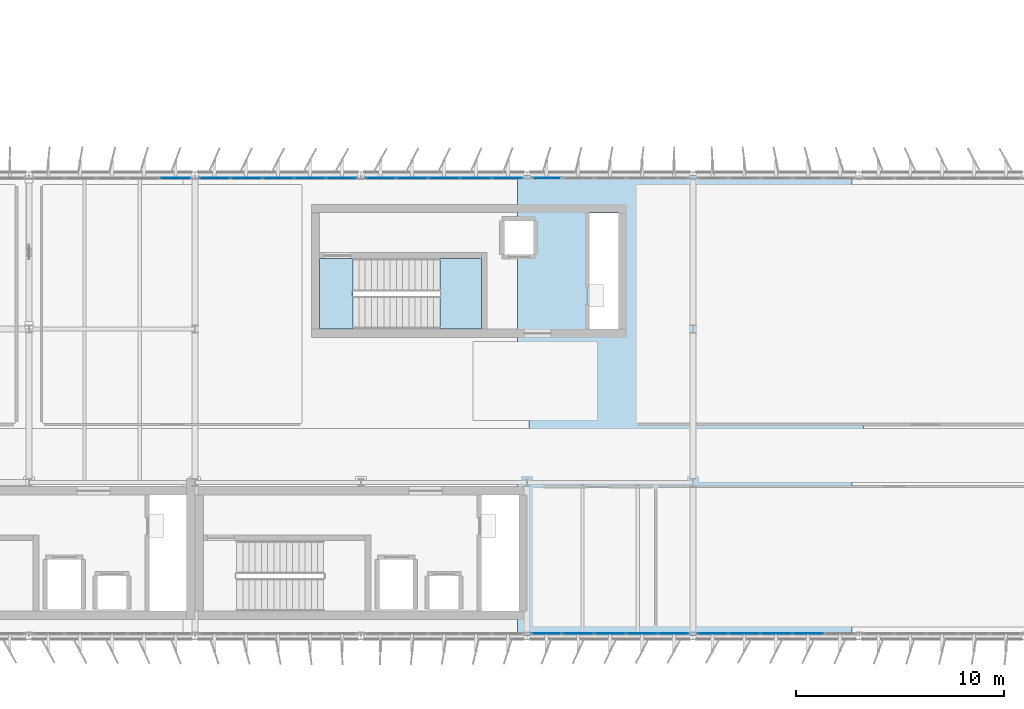
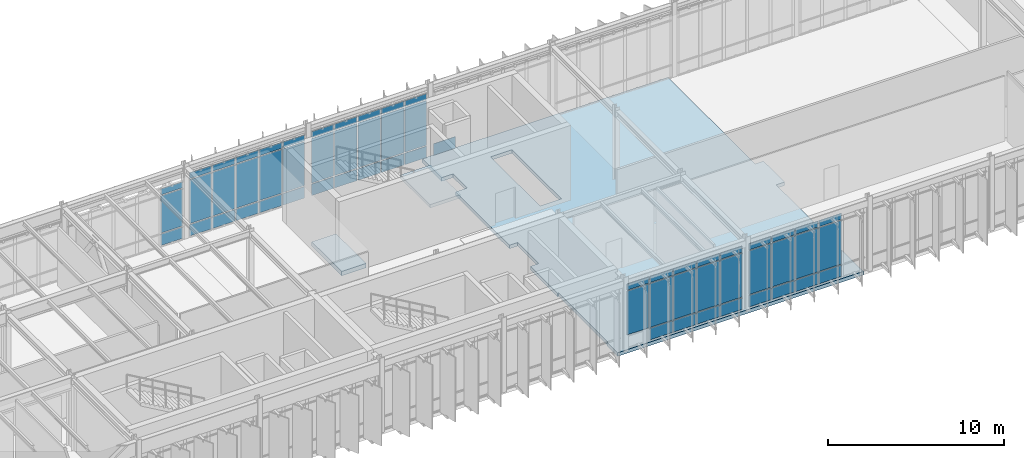
# One storey, part 28 of 48: 60 plates, 3 slabs, 7 elements without a shape of their own.
"""IFC4 building model written with IfcOpenShell, lengths in metres."""

from ifc_helpers import new_model, si_unit, direction, frame, origin, origin_2d, place, context, subcontext, project, spatial, polyline, rectangle, outline, extrude, material, layer, layer_set, type_object, element, aggregate, save


model = new_model("IFC4")

# Units and contexts
model_context = context("Model", 3, precision=1e-05, world=origin(), true_north=direction((0.0, 1.0)))
body_context = subcontext(model_context, "Body", "Model", "MODEL_VIEW")
ifc_project = project(units=[si_unit("LENGTHUNIT", "METRE"), si_unit("AREAUNIT", "SQUARE_METRE"), si_unit("VOLUMEUNIT", "CUBIC_METRE"), si_unit("PLANEANGLEUNIT", "RADIAN"), si_unit("MASSUNIT", "GRAM", prefix="KILO")], contexts=[model_context])

# Site, building, storey
site_placement = place(None, origin())
site = spatial("IfcSite", under=ifc_project, at=site_placement, CompositionType="ELEMENT")
building_placement = place(site_placement, origin())
building = spatial("IfcBuilding", under=site, at=building_placement, Name="Valkorina Park Police Headquarters", CompositionType="ELEMENT")
storey_placement = place(building_placement, frame((0.0, 0.0, 18.10009765625)))
storey = spatial("IfcBuildingStorey", under=building, at=storey_placement, Name="L05", CompositionType="ELEMENT", Elevation=18.10009765625)

# Curtain wall, plates
ifc_material_1 = material(Name="Thermally broken aluminium AW-6060", Category="aluminium")
ifc_layer_1 = layer(ifc_material_1, 0.18994140625)
ifc_layer_set_1 = layer_set([ifc_layer_1], Name="Thermally broken aluminium AW-6060")
curtain_wall_type_1 = type_object("IfcCurtainWallType", Name="CW-V5-7680x4520", PredefinedType="NOTDEFINED", material=ifc_layer_set_1)
curtain_wall_1_placement = place(storey_placement, origin())
curtain_wall_1 = element("IfcCurtainWall", 1, at=curtain_wall_1_placement, inside=storey, type_object=curtain_wall_type_1, Name="L05 Unitised Curtain Wall 067", PredefinedType="NOTDEFINED")
ifc_layer_2 = layer(ifc_material_1, 0.050048828125)
ifc_layer_set_2 = layer_set([ifc_layer_2], Name="Thermally broken aluminium AW-6060")
plate_type_1 = type_object("IfcPlateType", Name="PL-CWP-SPANDREL-50", PredefinedType="CURTAIN_PANEL", material=ifc_layer_set_2)
plate_1_placement = place(storey_placement, frame((62.3359375, 37.1201171875, 0.06982421875), z_axis=(0.0, 0.0, 1.0), x_axis=(-1.0, 0.0, 0.0)))
plate_1 = element("IfcPlate", 2, at=plate_1_placement, type_object=plate_type_1, Name="CW-V5-768-452 panel 2.1", PredefinedType="CURTAIN_PANEL", context=body_context, shape_type="SweptSolid", body=[
    extrude(rectangle(XDim=1.466064453125, YDim=0.028076171875, at=origin_2d()), origin(), (0.0, 0.0, 1.0), 0.794921875),
])
plate_2_placement = place(storey_placement, frame((60.800048828125, 37.1201171875, 0.06982421875), z_axis=(0.0, 0.0, 1.0), x_axis=(-1.0, 0.0, 0.0)))
plate_2 = element("IfcPlate", 3, at=plate_2_placement, type_object=plate_type_1, Name="CW-V5-768-452 panel 3.1", PredefinedType="CURTAIN_PANEL", context=body_context, shape_type="SweptSolid", body=[
    extrude(rectangle(XDim=1.466064453125, YDim=0.028076171875, at=origin_2d()), origin(), (0.0, 0.0, 1.0), 0.794921875),
])
plate_3_placement = place(storey_placement, frame((59.263916015625, 37.1201171875, 0.06982421875), z_axis=(0.0, 0.0, 1.0), x_axis=(-1.0, 0.0, 0.0)))
plate_3 = element("IfcPlate", 4, at=plate_3_placement, type_object=plate_type_1, Name="CW-V5-768-452 panel 4.1", PredefinedType="CURTAIN_PANEL", context=body_context, shape_type="SweptSolid", body=[
    extrude(rectangle(XDim=1.466064453125, YDim=0.028076171875, at=origin_2d()), origin(), (0.0, 0.0, 1.0), 0.794921875),
])
plate_4_placement = place(storey_placement, frame((57.74560546875, 37.1201171875, 0.06982421875), z_axis=(0.0, 0.0, 1.0), x_axis=(-1.0, 0.0, 0.0)))
plate_4 = element("IfcPlate", 5, at=plate_4_placement, type_object=plate_type_1, Name="CW-V5-768-452 panel 5.1", PredefinedType="CURTAIN_PANEL", context=body_context, shape_type="SweptSolid", body=[
    extrude(rectangle(XDim=1.430908203125, YDim=0.028076171875, at=origin_2d()), origin(), (0.0, 0.0, 1.0), 0.794921875),
])

curtain_wall_2_placement = place(storey_placement, origin())
curtain_wall_2 = element("IfcCurtainWall", 6, at=curtain_wall_2_placement, inside=storey, type_object=curtain_wall_type_1, Name="L05 Unitised Curtain Wall 068", PredefinedType="NOTDEFINED")
plate_5_placement = place(storey_placement, frame((55.8544921875, 37.1201171875, 0.06982421875), z_axis=(0.0, 0.0, 1.0), x_axis=(-1.0, 0.0, 0.0)))
plate_5 = element("IfcPlate", 7, at=plate_5_placement, type_object=plate_type_1, Name="CW-V5-768-452 panel 1.1", PredefinedType="CURTAIN_PANEL", context=body_context, shape_type="SweptSolid", body=[
    extrude(rectangle(XDim=1.430908203125, YDim=0.028076171875, at=origin_2d()), origin(), (0.0, 0.0, 1.0), 0.794921875),
])
plate_6_placement = place(storey_placement, frame((54.3359375, 37.1201171875, 0.06982421875), z_axis=(0.0, 0.0, 1.0), x_axis=(-1.0, 0.0, 0.0)))
plate_6 = element("IfcPlate", 8, at=plate_6_placement, type_object=plate_type_1, Name="CW-V5-768-452 panel 2.1", PredefinedType="CURTAIN_PANEL", context=body_context, shape_type="SweptSolid", body=[
    extrude(rectangle(XDim=1.466064453125, YDim=0.028076171875, at=origin_2d()), origin(), (0.0, 0.0, 1.0), 0.794921875),
])
plate_7_placement = place(storey_placement, frame((52.800048828125, 37.1201171875, 0.06982421875), z_axis=(0.0, 0.0, 1.0), x_axis=(-1.0, 0.0, 0.0)))
plate_7 = element("IfcPlate", 9, at=plate_7_placement, type_object=plate_type_1, Name="CW-V5-768-452 panel 3.1", PredefinedType="CURTAIN_PANEL", context=body_context, shape_type="SweptSolid", body=[
    extrude(rectangle(XDim=1.466064453125, YDim=0.028076171875, at=origin_2d()), origin(), (0.0, 0.0, 1.0), 0.794921875),
])
plate_8_placement = place(storey_placement, frame((51.263916015625, 37.1201171875, 0.06982421875), z_axis=(0.0, 0.0, 1.0), x_axis=(-1.0, 0.0, 0.0)))
plate_8 = element("IfcPlate", 10, at=plate_8_placement, type_object=plate_type_1, Name="CW-V5-768-452 panel 4.1", PredefinedType="CURTAIN_PANEL", context=body_context, shape_type="SweptSolid", body=[
    extrude(rectangle(XDim=1.466064453125, YDim=0.028076171875, at=origin_2d()), origin(), (0.0, 0.0, 1.0), 0.794921875),
])

# Curtain wall, plate
ifc_layer_3 = layer(ifc_material_1, 0.18994140625)
ifc_layer_set_3 = layer_set([ifc_layer_3], Name="Thermally broken aluminium AW-6060")
curtain_wall_type_2 = type_object("IfcCurtainWallType", Name="CW-V5-7680x4070", PredefinedType="NOTDEFINED", material=ifc_layer_set_3)
curtain_wall_3_placement = place(storey_placement, origin())
curtain_wall_3 = element("IfcCurtainWall", 11, at=curtain_wall_3_placement, inside=storey, type_object=curtain_wall_type_2, Name="L05 Unitised Curtain Wall 081", PredefinedType="NOTDEFINED")
plate_9_placement = place(storey_placement, frame((31.8544921875, 59.080078125, 0.06982421875), z_axis=(0.0, 0.0, 1.0), x_axis=(1.0, 0.0, 0.0)))
plate_9 = element("IfcPlate", 12, at=plate_9_placement, type_object=plate_type_1, Name="CW-V5-768-407 panel 5.1", PredefinedType="CURTAIN_PANEL", context=body_context, shape_type="SweptSolid", body=[
    extrude(rectangle(XDim=1.430908203125, YDim=0.028076171875, at=origin_2d()), origin(), (0.0, 0.0, 1.0), 0.794921875),
])

# Curtain wall, plates
curtain_wall_4_placement = place(storey_placement, origin())
curtain_wall_4 = element("IfcCurtainWall", 13, at=curtain_wall_4_placement, inside=storey, type_object=curtain_wall_type_1, Name="L05 Unitised Curtain Wall 082", PredefinedType="NOTDEFINED")
plate_10_placement = place(storey_placement, frame((33.74560546875, 59.080078125, 0.06982421875), z_axis=(0.0, 0.0, 1.0), x_axis=(1.0, 0.0, 0.0)))
plate_10 = element("IfcPlate", 14, at=plate_10_placement, type_object=plate_type_1, Name="CW-V5-768-452 panel 1.1", PredefinedType="CURTAIN_PANEL", context=body_context, shape_type="SweptSolid", body=[
    extrude(rectangle(XDim=1.430908203125, YDim=0.028076171875, at=origin_2d()), origin(), (0.0, 0.0, 1.0), 0.794921875),
])
plate_11_placement = place(storey_placement, frame((35.263916015625, 59.080078125, 0.06982421875), z_axis=(0.0, 0.0, 1.0), x_axis=(1.0, 0.0, 0.0)))
plate_11 = element("IfcPlate", 15, at=plate_11_placement, type_object=plate_type_1, Name="CW-V5-768-452 panel 2.1", PredefinedType="CURTAIN_PANEL", context=body_context, shape_type="SweptSolid", body=[
    extrude(rectangle(XDim=1.466064453125, YDim=0.028076171875, at=origin_2d()), origin(), (0.0, 0.0, 1.0), 0.794921875),
])
plate_12_placement = place(storey_placement, frame((36.800048828125, 59.080078125, 0.06982421875), z_axis=(0.0, 0.0, 1.0), x_axis=(1.0, 0.0, 0.0)))
plate_12 = element("IfcPlate", 16, at=plate_12_placement, type_object=plate_type_1, Name="CW-V5-768-452 panel 3.1", PredefinedType="CURTAIN_PANEL", context=body_context, shape_type="SweptSolid", body=[
    extrude(rectangle(XDim=1.466064453125, YDim=0.028076171875, at=origin_2d()), origin(), (0.0, 0.0, 1.0), 0.794921875),
])
plate_13_placement = place(storey_placement, frame((38.3359375, 59.080078125, 0.06982421875), z_axis=(0.0, 0.0, 1.0), x_axis=(1.0, 0.0, 0.0)))
plate_13 = element("IfcPlate", 17, at=plate_13_placement, type_object=plate_type_1, Name="CW-V5-768-452 panel 4.1", PredefinedType="CURTAIN_PANEL", context=body_context, shape_type="SweptSolid", body=[
    extrude(rectangle(XDim=1.466064453125, YDim=0.028076171875, at=origin_2d()), origin(), (0.0, 0.0, 1.0), 0.794921875),
])
plate_14_placement = place(storey_placement, frame((39.8544921875, 59.080078125, 0.06982421875), z_axis=(0.0, 0.0, 1.0), x_axis=(1.0, 0.0, 0.0)))
plate_14 = element("IfcPlate", 18, at=plate_14_placement, type_object=plate_type_1, Name="CW-V5-768-452 panel 5.1", PredefinedType="CURTAIN_PANEL", context=body_context, shape_type="SweptSolid", body=[
    extrude(rectangle(XDim=1.430908203125, YDim=0.028076171875, at=origin_2d()), origin(), (0.0, 0.0, 1.0), 0.794921875),
])

ifc_layer_4 = layer(ifc_material_1, 0.18994140625)
ifc_layer_set_4 = layer_set([ifc_layer_4], Name="Thermally broken aluminium AW-6060")
curtain_wall_type_3 = type_object("IfcCurtainWallType", Name="CW-V5-7680x4580", PredefinedType="NOTDEFINED", material=ifc_layer_set_4)
curtain_wall_5_placement = place(storey_placement, origin())
curtain_wall_5 = element("IfcCurtainWall", 19, at=curtain_wall_5_placement, inside=storey, type_object=curtain_wall_type_3, Name="L05 Unitised Curtain Wall 083", PredefinedType="NOTDEFINED")
plate_15_placement = place(storey_placement, frame((41.74560546875, 59.080078125, 0.06982421875), z_axis=(0.0, 0.0, 1.0), x_axis=(1.0, 0.0, 0.0)))
plate_15 = element("IfcPlate", 20, at=plate_15_placement, type_object=plate_type_1, Name="CW-V5-768-458 panel 1.1", PredefinedType="CURTAIN_PANEL", context=body_context, shape_type="SweptSolid", body=[
    extrude(rectangle(XDim=1.430908203125, YDim=0.028076171875, at=origin_2d()), origin(), (0.0, 0.0, 1.0), 0.794921875),
])
plate_16_placement = place(storey_placement, frame((43.263916015625, 59.080078125, 0.06982421875), z_axis=(0.0, 0.0, 1.0), x_axis=(1.0, 0.0, 0.0)))
plate_16 = element("IfcPlate", 21, at=plate_16_placement, type_object=plate_type_1, Name="CW-V5-768-458 panel 2.1", PredefinedType="CURTAIN_PANEL", context=body_context, shape_type="SweptSolid", body=[
    extrude(rectangle(XDim=1.466064453125, YDim=0.028076171875, at=origin_2d()), origin(), (0.0, 0.0, 1.0), 0.794921875),
])
plate_17_placement = place(storey_placement, frame((44.800048828125, 59.080078125, 0.06982421875), z_axis=(0.0, 0.0, 1.0), x_axis=(1.0, 0.0, 0.0)))
plate_17 = element("IfcPlate", 22, at=plate_17_placement, type_object=plate_type_1, Name="CW-V5-768-458 panel 3.1", PredefinedType="CURTAIN_PANEL", context=body_context, shape_type="SweptSolid", body=[
    extrude(rectangle(XDim=1.466064453125, YDim=0.028076171875, at=origin_2d()), origin(), (0.0, 0.0, 1.0), 0.794921875),
])
plate_18_placement = place(storey_placement, frame((46.3359375, 59.080078125, 0.06982421875), z_axis=(0.0, 0.0, 1.0), x_axis=(1.0, 0.0, 0.0)))
plate_18 = element("IfcPlate", 23, at=plate_18_placement, type_object=plate_type_1, Name="CW-V5-768-458 panel 4.1", PredefinedType="CURTAIN_PANEL", context=body_context, shape_type="SweptSolid", body=[
    extrude(rectangle(XDim=1.466064453125, YDim=0.028076171875, at=origin_2d()), origin(), (0.0, 0.0, 1.0), 0.794921875),
])
plate_19_placement = place(storey_placement, frame((47.8544921875, 59.080078125, 0.06982421875), z_axis=(0.0, 0.0, 1.0), x_axis=(1.0, 0.0, 0.0)))
plate_19 = element("IfcPlate", 24, at=plate_19_placement, type_object=plate_type_1, Name="CW-V5-768-458 panel 5.1", PredefinedType="CURTAIN_PANEL", context=body_context, shape_type="SweptSolid", body=[
    extrude(rectangle(XDim=1.430908203125, YDim=0.028076171875, at=origin_2d()), origin(), (0.0, 0.0, 1.0), 0.794921875),
])

# Curtain wall, plate
curtain_wall_6_placement = place(storey_placement, origin())
curtain_wall_6 = element("IfcCurtainWall", 25, at=curtain_wall_6_placement, inside=storey, type_object=curtain_wall_type_1, Name="L05 Unitised Curtain Wall 084", PredefinedType="NOTDEFINED")
plate_20_placement = place(storey_placement, frame((49.74560546875, 59.080078125, 0.06982421875), z_axis=(0.0, 0.0, 1.0), x_axis=(1.0, 0.0, 0.0)))
plate_20 = element("IfcPlate", 26, at=plate_20_placement, type_object=plate_type_1, Name="CW-V5-768-452 panel 1.1", PredefinedType="CURTAIN_PANEL", context=body_context, shape_type="SweptSolid", body=[
    extrude(rectangle(XDim=1.430908203125, YDim=0.028076171875, at=origin_2d()), origin(), (0.0, 0.0, 1.0), 0.794921875),
])
aggregate(curtain_wall_6, [plate_20])

# Plate
ifc_material_2 = material(Name="Triple low-E insulated glazing", Category="glass")
ifc_layer_5 = layer(ifc_material_2, 0.028076171875)
ifc_layer_set_5 = layer_set([ifc_layer_5], Name="Triple low-E insulated glazing")
plate_type_2 = type_object("IfcPlateType", Name="PL-CWP-VISION-28", PredefinedType="CURTAIN_PANEL", material=ifc_layer_set_5)
plate_21_placement = place(storey_placement, frame((62.3359375, 37.1201171875, 0.93505859375), z_axis=(0.0, 0.0, 1.0), x_axis=(-1.0, 0.0, 0.0)))
plate_21 = element("IfcPlate", 27, at=plate_21_placement, type_object=plate_type_2, Name="CW-V5-768-452 panel 2.2", PredefinedType="CURTAIN_PANEL", context=body_context, shape_type="SweptSolid", body=[
    extrude(rectangle(XDim=1.466064453125, YDim=0.028076171875, at=origin_2d()), origin(), (0.0, 0.0, 1.0), 3.030029296875),
])

plate_22_placement = place(storey_placement, frame((62.3359375, 37.1201171875, 4.034912109375), z_axis=(0.0, 0.0, 1.0), x_axis=(-1.0, 0.0, 0.0)))
plate_22 = element("IfcPlate", 28, at=plate_22_placement, type_object=plate_type_2, Name="CW-V5-768-452 panel 2.3", PredefinedType="CURTAIN_PANEL", context=body_context, shape_type="SweptSolid", body=[
    extrude(rectangle(XDim=1.466064453125, YDim=0.028076171875, at=origin_2d()), origin(), (0.0, 0.0, 1.0), 0.4150390625),
])

plate_23_placement = place(storey_placement, frame((60.800048828125, 37.1201171875, 0.93505859375), z_axis=(0.0, 0.0, 1.0), x_axis=(-1.0, 0.0, 0.0)))
plate_23 = element("IfcPlate", 29, at=plate_23_placement, type_object=plate_type_2, Name="CW-V5-768-452 panel 3.2", PredefinedType="CURTAIN_PANEL", context=body_context, shape_type="SweptSolid", body=[
    extrude(rectangle(XDim=1.466064453125, YDim=0.028076171875, at=origin_2d()), origin(), (0.0, 0.0, 1.0), 3.030029296875),
])

plate_24_placement = place(storey_placement, frame((60.800048828125, 37.1201171875, 4.034912109375), z_axis=(0.0, 0.0, 1.0), x_axis=(-1.0, 0.0, 0.0)))
plate_24 = element("IfcPlate", 30, at=plate_24_placement, type_object=plate_type_2, Name="CW-V5-768-452 panel 3.3", PredefinedType="CURTAIN_PANEL", context=body_context, shape_type="SweptSolid", body=[
    extrude(rectangle(XDim=1.466064453125, YDim=0.028076171875, at=origin_2d()), origin(), (0.0, 0.0, 1.0), 0.4150390625),
])

plate_25_placement = place(storey_placement, frame((59.263916015625, 37.1201171875, 0.93505859375), z_axis=(0.0, 0.0, 1.0), x_axis=(-1.0, 0.0, 0.0)))
plate_25 = element("IfcPlate", 31, at=plate_25_placement, type_object=plate_type_2, Name="CW-V5-768-452 panel 4.2", PredefinedType="CURTAIN_PANEL", context=body_context, shape_type="SweptSolid", body=[
    extrude(rectangle(XDim=1.466064453125, YDim=0.028076171875, at=origin_2d()), origin(), (0.0, 0.0, 1.0), 3.030029296875),
])

plate_26_placement = place(storey_placement, frame((59.263916015625, 37.1201171875, 4.034912109375), z_axis=(0.0, 0.0, 1.0), x_axis=(-1.0, 0.0, 0.0)))
plate_26 = element("IfcPlate", 32, at=plate_26_placement, type_object=plate_type_2, Name="CW-V5-768-452 panel 4.3", PredefinedType="CURTAIN_PANEL", context=body_context, shape_type="SweptSolid", body=[
    extrude(rectangle(XDim=1.466064453125, YDim=0.028076171875, at=origin_2d()), origin(), (0.0, 0.0, 1.0), 0.4150390625),
])

plate_27_placement = place(storey_placement, frame((57.74560546875, 37.1201171875, 0.93505859375), z_axis=(0.0, 0.0, 1.0), x_axis=(-1.0, 0.0, 0.0)))
plate_27 = element("IfcPlate", 33, at=plate_27_placement, type_object=plate_type_2, Name="CW-V5-768-452 panel 5.2", PredefinedType="CURTAIN_PANEL", context=body_context, shape_type="SweptSolid", body=[
    extrude(rectangle(XDim=1.430908203125, YDim=0.028076171875, at=origin_2d()), origin(), (0.0, 0.0, 1.0), 3.030029296875),
])

plate_28_placement = place(storey_placement, frame((57.74560546875, 37.1201171875, 4.034912109375), z_axis=(0.0, 0.0, 1.0), x_axis=(-1.0, 0.0, 0.0)))
plate_28 = element("IfcPlate", 34, at=plate_28_placement, type_object=plate_type_2, Name="CW-V5-768-452 panel 5.3", PredefinedType="CURTAIN_PANEL", context=body_context, shape_type="SweptSolid", body=[
    extrude(rectangle(XDim=1.430908203125, YDim=0.028076171875, at=origin_2d()), origin(), (0.0, 0.0, 1.0), 0.4150390625),
])

aggregate(curtain_wall_1, [plate_1, plate_21, plate_22, plate_2, plate_23, plate_24, plate_3, plate_25, plate_26, plate_4, plate_27, plate_28])

plate_29_placement = place(storey_placement, frame((55.8544921875, 37.1201171875, 0.93505859375), z_axis=(0.0, 0.0, 1.0), x_axis=(-1.0, 0.0, 0.0)))
plate_29 = element("IfcPlate", 35, at=plate_29_placement, type_object=plate_type_2, Name="CW-V5-768-452 panel 1.2", PredefinedType="CURTAIN_PANEL", context=body_context, shape_type="SweptSolid", body=[
    extrude(rectangle(XDim=1.430908203125, YDim=0.028076171875, at=origin_2d()), origin(), (0.0, 0.0, 1.0), 3.030029296875),
])

plate_30_placement = place(storey_placement, frame((55.8544921875, 37.1201171875, 4.034912109375), z_axis=(0.0, 0.0, 1.0), x_axis=(-1.0, 0.0, 0.0)))
plate_30 = element("IfcPlate", 36, at=plate_30_placement, type_object=plate_type_2, Name="CW-V5-768-452 panel 1.3", PredefinedType="CURTAIN_PANEL", context=body_context, shape_type="SweptSolid", body=[
    extrude(rectangle(XDim=1.430908203125, YDim=0.028076171875, at=origin_2d()), origin(), (0.0, 0.0, 1.0), 0.4150390625),
])

plate_31_placement = place(storey_placement, frame((54.3359375, 37.1201171875, 0.93505859375), z_axis=(0.0, 0.0, 1.0), x_axis=(-1.0, 0.0, 0.0)))
plate_31 = element("IfcPlate", 37, at=plate_31_placement, type_object=plate_type_2, Name="CW-V5-768-452 panel 2.2", PredefinedType="CURTAIN_PANEL", context=body_context, shape_type="SweptSolid", body=[
    extrude(rectangle(XDim=1.466064453125, YDim=0.028076171875, at=origin_2d()), origin(), (0.0, 0.0, 1.0), 3.030029296875),
])

plate_32_placement = place(storey_placement, frame((54.3359375, 37.1201171875, 4.034912109375), z_axis=(0.0, 0.0, 1.0), x_axis=(-1.0, 0.0, 0.0)))
plate_32 = element("IfcPlate", 38, at=plate_32_placement, type_object=plate_type_2, Name="CW-V5-768-452 panel 2.3", PredefinedType="CURTAIN_PANEL", context=body_context, shape_type="SweptSolid", body=[
    extrude(rectangle(XDim=1.466064453125, YDim=0.028076171875, at=origin_2d()), origin(), (0.0, 0.0, 1.0), 0.4150390625),
])

plate_33_placement = place(storey_placement, frame((52.800048828125, 37.1201171875, 0.93505859375), z_axis=(0.0, 0.0, 1.0), x_axis=(-1.0, 0.0, 0.0)))
plate_33 = element("IfcPlate", 39, at=plate_33_placement, type_object=plate_type_2, Name="CW-V5-768-452 panel 3.2", PredefinedType="CURTAIN_PANEL", context=body_context, shape_type="SweptSolid", body=[
    extrude(rectangle(XDim=1.466064453125, YDim=0.028076171875, at=origin_2d()), origin(), (0.0, 0.0, 1.0), 3.030029296875),
])

plate_34_placement = place(storey_placement, frame((52.800048828125, 37.1201171875, 4.034912109375), z_axis=(0.0, 0.0, 1.0), x_axis=(-1.0, 0.0, 0.0)))
plate_34 = element("IfcPlate", 40, at=plate_34_placement, type_object=plate_type_2, Name="CW-V5-768-452 panel 3.3", PredefinedType="CURTAIN_PANEL", context=body_context, shape_type="SweptSolid", body=[
    extrude(rectangle(XDim=1.466064453125, YDim=0.028076171875, at=origin_2d()), origin(), (0.0, 0.0, 1.0), 0.4150390625),
])

plate_35_placement = place(storey_placement, frame((51.263916015625, 37.1201171875, 0.93505859375), z_axis=(0.0, 0.0, 1.0), x_axis=(-1.0, 0.0, 0.0)))
plate_35 = element("IfcPlate", 41, at=plate_35_placement, type_object=plate_type_2, Name="CW-V5-768-452 panel 4.2", PredefinedType="CURTAIN_PANEL", context=body_context, shape_type="SweptSolid", body=[
    extrude(rectangle(XDim=1.466064453125, YDim=0.028076171875, at=origin_2d()), origin(), (0.0, 0.0, 1.0), 3.030029296875),
])

plate_36_placement = place(storey_placement, frame((51.263916015625, 37.1201171875, 4.034912109375), z_axis=(0.0, 0.0, 1.0), x_axis=(-1.0, 0.0, 0.0)))
plate_36 = element("IfcPlate", 42, at=plate_36_placement, type_object=plate_type_2, Name="CW-V5-768-452 panel 4.3", PredefinedType="CURTAIN_PANEL", context=body_context, shape_type="SweptSolid", body=[
    extrude(rectangle(XDim=1.466064453125, YDim=0.028076171875, at=origin_2d()), origin(), (0.0, 0.0, 1.0), 0.4150390625),
])

plate_37_placement = place(storey_placement, frame((49.74560546875, 37.1201171875, 0.93505859375), z_axis=(0.0, 0.0, 1.0), x_axis=(-1.0, 0.0, 0.0)))
plate_37 = element("IfcPlate", 43, at=plate_37_placement, type_object=plate_type_2, Name="CW-V5-768-452 panel 5.2", PredefinedType="CURTAIN_PANEL", context=body_context, shape_type="SweptSolid", body=[
    extrude(rectangle(XDim=1.430908203125, YDim=0.028076171875, at=origin_2d()), origin(), (0.0, 0.0, 1.0), 3.030029296875),
])

plate_38_placement = place(storey_placement, frame((49.74560546875, 37.1201171875, 4.034912109375), z_axis=(0.0, 0.0, 1.0), x_axis=(-1.0, 0.0, 0.0)))
plate_38 = element("IfcPlate", 44, at=plate_38_placement, type_object=plate_type_2, Name="CW-V5-768-452 panel 5.3", PredefinedType="CURTAIN_PANEL", context=body_context, shape_type="SweptSolid", body=[
    extrude(rectangle(XDim=1.430908203125, YDim=0.028076171875, at=origin_2d()), origin(), (0.0, 0.0, 1.0), 0.4150390625),
])

aggregate(curtain_wall_2, [plate_5, plate_29, plate_30, plate_6, plate_31, plate_32, plate_7, plate_33, plate_34, plate_8, plate_35, plate_36, plate_37, plate_38])

plate_39_placement = place(storey_placement, frame((31.8544921875, 59.080078125, 0.934814453125), z_axis=(0.0, 0.0, 1.0), x_axis=(1.0, 0.0, 0.0)))
plate_39 = element("IfcPlate", 45, at=plate_39_placement, type_object=plate_type_2, Name="CW-V5-768-407 panel 5.2", PredefinedType="CURTAIN_PANEL", context=body_context, shape_type="SweptSolid", body=[
    extrude(rectangle(XDim=1.430908203125, YDim=0.028076171875, at=origin_2d()), origin(), (0.0, 0.0, 1.0), 2.580078125),
])

plate_40_placement = place(storey_placement, frame((31.8544921875, 59.080078125, 3.5849609375), z_axis=(0.0, 0.0, 1.0), x_axis=(1.0, 0.0, 0.0)))
plate_40 = element("IfcPlate", 46, at=plate_40_placement, type_object=plate_type_2, Name="CW-V5-768-407 panel 5.3", PredefinedType="CURTAIN_PANEL", context=body_context, shape_type="SweptSolid", body=[
    extrude(rectangle(XDim=1.430908203125, YDim=0.028076171875, at=origin_2d()), origin(), (0.0, 0.0, 1.0), 0.4150390625),
])

aggregate(curtain_wall_3, [plate_9, plate_39, plate_40])

plate_41_placement = place(storey_placement, frame((33.74560546875, 59.080078125, 0.93505859375), z_axis=(0.0, 0.0, 1.0), x_axis=(1.0, 0.0, 0.0)))
plate_41 = element("IfcPlate", 47, at=plate_41_placement, type_object=plate_type_2, Name="CW-V5-768-452 panel 1.2", PredefinedType="CURTAIN_PANEL", context=body_context, shape_type="SweptSolid", body=[
    extrude(rectangle(XDim=1.430908203125, YDim=0.028076171875, at=origin_2d()), origin(), (0.0, 0.0, 1.0), 3.030029296875),
])

plate_42_placement = place(storey_placement, frame((33.74560546875, 59.080078125, 4.034912109375), z_axis=(0.0, 0.0, 1.0), x_axis=(1.0, 0.0, 0.0)))
plate_42 = element("IfcPlate", 48, at=plate_42_placement, type_object=plate_type_2, Name="CW-V5-768-452 panel 1.3", PredefinedType="CURTAIN_PANEL", context=body_context, shape_type="SweptSolid", body=[
    extrude(rectangle(XDim=1.430908203125, YDim=0.028076171875, at=origin_2d()), origin(), (0.0, 0.0, 1.0), 0.4150390625),
])

plate_43_placement = place(storey_placement, frame((35.263916015625, 59.080078125, 0.93505859375), z_axis=(0.0, 0.0, 1.0), x_axis=(1.0, 0.0, 0.0)))
plate_43 = element("IfcPlate", 49, at=plate_43_placement, type_object=plate_type_2, Name="CW-V5-768-452 panel 2.2", PredefinedType="CURTAIN_PANEL", context=body_context, shape_type="SweptSolid", body=[
    extrude(rectangle(XDim=1.466064453125, YDim=0.028076171875, at=origin_2d()), origin(), (0.0, 0.0, 1.0), 3.030029296875),
])

plate_44_placement = place(storey_placement, frame((35.263916015625, 59.080078125, 4.034912109375), z_axis=(0.0, 0.0, 1.0), x_axis=(1.0, 0.0, 0.0)))
plate_44 = element("IfcPlate", 50, at=plate_44_placement, type_object=plate_type_2, Name="CW-V5-768-452 panel 2.3", PredefinedType="CURTAIN_PANEL", context=body_context, shape_type="SweptSolid", body=[
    extrude(rectangle(XDim=1.466064453125, YDim=0.028076171875, at=origin_2d()), origin(), (0.0, 0.0, 1.0), 0.4150390625),
])

plate_45_placement = place(storey_placement, frame((36.800048828125, 59.080078125, 0.93505859375), z_axis=(0.0, 0.0, 1.0), x_axis=(1.0, 0.0, 0.0)))
plate_45 = element("IfcPlate", 51, at=plate_45_placement, type_object=plate_type_2, Name="CW-V5-768-452 panel 3.2", PredefinedType="CURTAIN_PANEL", context=body_context, shape_type="SweptSolid", body=[
    extrude(rectangle(XDim=1.466064453125, YDim=0.028076171875, at=origin_2d()), origin(), (0.0, 0.0, 1.0), 3.030029296875),
])

plate_46_placement = place(storey_placement, frame((36.800048828125, 59.080078125, 4.034912109375), z_axis=(0.0, 0.0, 1.0), x_axis=(1.0, 0.0, 0.0)))
plate_46 = element("IfcPlate", 52, at=plate_46_placement, type_object=plate_type_2, Name="CW-V5-768-452 panel 3.3", PredefinedType="CURTAIN_PANEL", context=body_context, shape_type="SweptSolid", body=[
    extrude(rectangle(XDim=1.466064453125, YDim=0.028076171875, at=origin_2d()), origin(), (0.0, 0.0, 1.0), 0.4150390625),
])

plate_47_placement = place(storey_placement, frame((38.3359375, 59.080078125, 0.93505859375), z_axis=(0.0, 0.0, 1.0), x_axis=(1.0, 0.0, 0.0)))
plate_47 = element("IfcPlate", 53, at=plate_47_placement, type_object=plate_type_2, Name="CW-V5-768-452 panel 4.2", PredefinedType="CURTAIN_PANEL", context=body_context, shape_type="SweptSolid", body=[
    extrude(rectangle(XDim=1.466064453125, YDim=0.028076171875, at=origin_2d()), origin(), (0.0, 0.0, 1.0), 3.030029296875),
])

plate_48_placement = place(storey_placement, frame((38.3359375, 59.080078125, 4.034912109375), z_axis=(0.0, 0.0, 1.0), x_axis=(1.0, 0.0, 0.0)))
plate_48 = element("IfcPlate", 54, at=plate_48_placement, type_object=plate_type_2, Name="CW-V5-768-452 panel 4.3", PredefinedType="CURTAIN_PANEL", context=body_context, shape_type="SweptSolid", body=[
    extrude(rectangle(XDim=1.466064453125, YDim=0.028076171875, at=origin_2d()), origin(), (0.0, 0.0, 1.0), 0.4150390625),
])

plate_49_placement = place(storey_placement, frame((39.8544921875, 59.080078125, 0.93505859375), z_axis=(0.0, 0.0, 1.0), x_axis=(1.0, 0.0, 0.0)))
plate_49 = element("IfcPlate", 55, at=plate_49_placement, type_object=plate_type_2, Name="CW-V5-768-452 panel 5.2", PredefinedType="CURTAIN_PANEL", context=body_context, shape_type="SweptSolid", body=[
    extrude(rectangle(XDim=1.430908203125, YDim=0.028076171875, at=origin_2d()), origin(), (0.0, 0.0, 1.0), 3.030029296875),
])

plate_50_placement = place(storey_placement, frame((39.8544921875, 59.080078125, 4.034912109375), z_axis=(0.0, 0.0, 1.0), x_axis=(1.0, 0.0, 0.0)))
plate_50 = element("IfcPlate", 56, at=plate_50_placement, type_object=plate_type_2, Name="CW-V5-768-452 panel 5.3", PredefinedType="CURTAIN_PANEL", context=body_context, shape_type="SweptSolid", body=[
    extrude(rectangle(XDim=1.430908203125, YDim=0.028076171875, at=origin_2d()), origin(), (0.0, 0.0, 1.0), 0.4150390625),
])

aggregate(curtain_wall_4, [plate_10, plate_41, plate_42, plate_11, plate_43, plate_44, plate_12, plate_45, plate_46, plate_13, plate_47, plate_48, plate_14, plate_49, plate_50])

plate_51_placement = place(storey_placement, frame((41.74560546875, 59.080078125, 0.93505859375), z_axis=(0.0, 0.0, 1.0), x_axis=(1.0, 0.0, 0.0)))
plate_51 = element("IfcPlate", 57, at=plate_51_placement, type_object=plate_type_2, Name="CW-V5-768-458 panel 1.2", PredefinedType="CURTAIN_PANEL", context=body_context, shape_type="SweptSolid", body=[
    extrude(rectangle(XDim=1.430908203125, YDim=0.028076171875, at=origin_2d()), origin(), (0.0, 0.0, 1.0), 3.090087890625),
])

plate_52_placement = place(storey_placement, frame((41.74560546875, 59.080078125, 4.094970703125), z_axis=(0.0, 0.0, 1.0), x_axis=(1.0, 0.0, 0.0)))
plate_52 = element("IfcPlate", 58, at=plate_52_placement, type_object=plate_type_2, Name="CW-V5-768-458 panel 1.3", PredefinedType="CURTAIN_PANEL", context=body_context, shape_type="SweptSolid", body=[
    extrude(rectangle(XDim=1.430908203125, YDim=0.028076171875, at=origin_2d()), origin(), (0.0, 0.0, 1.0), 0.4150390625),
])

plate_53_placement = place(storey_placement, frame((43.263916015625, 59.080078125, 0.93505859375), z_axis=(0.0, 0.0, 1.0), x_axis=(1.0, 0.0, 0.0)))
plate_53 = element("IfcPlate", 59, at=plate_53_placement, type_object=plate_type_2, Name="CW-V5-768-458 panel 2.2", PredefinedType="CURTAIN_PANEL", context=body_context, shape_type="SweptSolid", body=[
    extrude(rectangle(XDim=1.466064453125, YDim=0.028076171875, at=origin_2d()), origin(), (0.0, 0.0, 1.0), 3.090087890625),
])

plate_54_placement = place(storey_placement, frame((43.263916015625, 59.080078125, 4.094970703125), z_axis=(0.0, 0.0, 1.0), x_axis=(1.0, 0.0, 0.0)))
plate_54 = element("IfcPlate", 60, at=plate_54_placement, type_object=plate_type_2, Name="CW-V5-768-458 panel 2.3", PredefinedType="CURTAIN_PANEL", context=body_context, shape_type="SweptSolid", body=[
    extrude(rectangle(XDim=1.466064453125, YDim=0.028076171875, at=origin_2d()), origin(), (0.0, 0.0, 1.0), 0.4150390625),
])

plate_55_placement = place(storey_placement, frame((44.800048828125, 59.080078125, 0.93505859375), z_axis=(0.0, 0.0, 1.0), x_axis=(1.0, 0.0, 0.0)))
plate_55 = element("IfcPlate", 61, at=plate_55_placement, type_object=plate_type_2, Name="CW-V5-768-458 panel 3.2", PredefinedType="CURTAIN_PANEL", context=body_context, shape_type="SweptSolid", body=[
    extrude(rectangle(XDim=1.466064453125, YDim=0.028076171875, at=origin_2d()), origin(), (0.0, 0.0, 1.0), 3.090087890625),
])

plate_56_placement = place(storey_placement, frame((44.800048828125, 59.080078125, 4.094970703125), z_axis=(0.0, 0.0, 1.0), x_axis=(1.0, 0.0, 0.0)))
plate_56 = element("IfcPlate", 62, at=plate_56_placement, type_object=plate_type_2, Name="CW-V5-768-458 panel 3.3", PredefinedType="CURTAIN_PANEL", context=body_context, shape_type="SweptSolid", body=[
    extrude(rectangle(XDim=1.466064453125, YDim=0.028076171875, at=origin_2d()), origin(), (0.0, 0.0, 1.0), 0.4150390625),
])

plate_57_placement = place(storey_placement, frame((46.3359375, 59.080078125, 0.93505859375), z_axis=(0.0, 0.0, 1.0), x_axis=(1.0, 0.0, 0.0)))
plate_57 = element("IfcPlate", 63, at=plate_57_placement, type_object=plate_type_2, Name="CW-V5-768-458 panel 4.2", PredefinedType="CURTAIN_PANEL", context=body_context, shape_type="SweptSolid", body=[
    extrude(rectangle(XDim=1.466064453125, YDim=0.028076171875, at=origin_2d()), origin(), (0.0, 0.0, 1.0), 3.090087890625),
])

plate_58_placement = place(storey_placement, frame((46.3359375, 59.080078125, 4.094970703125), z_axis=(0.0, 0.0, 1.0), x_axis=(1.0, 0.0, 0.0)))
plate_58 = element("IfcPlate", 64, at=plate_58_placement, type_object=plate_type_2, Name="CW-V5-768-458 panel 4.3", PredefinedType="CURTAIN_PANEL", context=body_context, shape_type="SweptSolid", body=[
    extrude(rectangle(XDim=1.466064453125, YDim=0.028076171875, at=origin_2d()), origin(), (0.0, 0.0, 1.0), 0.4150390625),
])

plate_59_placement = place(storey_placement, frame((47.8544921875, 59.080078125, 0.93505859375), z_axis=(0.0, 0.0, 1.0), x_axis=(1.0, 0.0, 0.0)))
plate_59 = element("IfcPlate", 65, at=plate_59_placement, type_object=plate_type_2, Name="CW-V5-768-458 panel 5.2", PredefinedType="CURTAIN_PANEL", context=body_context, shape_type="SweptSolid", body=[
    extrude(rectangle(XDim=1.430908203125, YDim=0.028076171875, at=origin_2d()), origin(), (0.0, 0.0, 1.0), 3.090087890625),
])

plate_60_placement = place(storey_placement, frame((47.8544921875, 59.080078125, 4.094970703125), z_axis=(0.0, 0.0, 1.0), x_axis=(1.0, 0.0, 0.0)))
plate_60 = element("IfcPlate", 66, at=plate_60_placement, type_object=plate_type_2, Name="CW-V5-768-458 panel 5.3", PredefinedType="CURTAIN_PANEL", context=body_context, shape_type="SweptSolid", body=[
    extrude(rectangle(XDim=1.430908203125, YDim=0.028076171875, at=origin_2d()), origin(), (0.0, 0.0, 1.0), 0.4150390625),
])

aggregate(curtain_wall_5, [plate_15, plate_51, plate_52, plate_16, plate_53, plate_54, plate_17, plate_55, plate_56, plate_18, plate_57, plate_58, plate_19, plate_59, plate_60])

# Slab
ifc_material_3 = material(Name="Concrete C35/45", Category="concrete")
ifc_layer_6 = layer(ifc_material_3, 0.2451171875)
ifc_layer_set_6 = layer_set([ifc_layer_6], Name="Concrete C35/45")
slab_type_1 = type_object("IfcSlabType", Name="SL-COMP-LAB-170", PredefinedType="FLOOR", material=ifc_layer_set_6)
slab_1_placement = place(storey_placement, frame((0.0, 0.0, -0.2451171875)))
element("IfcSlab", 67, at=slab_1_placement, inside=storey, type_object=slab_type_1, Name="L05 Structural Floor Slab 92", PredefinedType="FLOOR", context=body_context, shape_type="SweptSolid", body=[
    extrude(outline(polyline([(65.007080078125, 49.2958984375), (64.45703125, 49.2958984375), (64.45703125, 59.19189453125), (48.343017578125, 59.19189453125), (48.343017578125, 57.0), (49.10009765625, 57.0), (49.10009765625, 55.39990234375), (48.343017578125, 55.39990234375), (48.343017578125, 49.2958984375), (48.892822265625, 49.2958984375), (48.892822265625, 46.89599609375), (48.343017578125, 46.89599609375), (48.343017578125, 43.800048828125), (48.39990234375, 43.800048828125), (48.39990234375, 38.199951171875), (48.343017578125, 38.199951171875), (48.343017578125, 37.0), (64.45703125, 37.0), (64.45703125, 46.89599609375), (65.007080078125, 46.89599609375), (65.007080078125, 49.2958984375)]), holes=[polyline([(53.199951171875, 51.800048828125), (51.800048828125, 51.800048828125), (51.800048828125, 57.39990234375), (53.199951171875, 57.39990234375), (53.199951171875, 51.800048828125)])]), origin(), (0.0, 0.0, 1.0), 0.2451171875),
])

# Stair, slab
stair_type = type_object("IfcStairType", Name="ST-DOGLEG-160-52", PredefinedType="HALF_TURN_STAIR", material=ifc_material_3)
stair_placement = place(storey_placement, origin())
stair = element("IfcStair", 68, at=stair_placement, inside=storey, type_object=stair_type, Name="L05 Core C3 Protected Stair (ST-06)", PredefinedType="HALF_TURN_STAIR")
ifc_layer_7 = layer(ifc_material_3, 0.22998046875)
ifc_layer_set_7 = layer_set([ifc_layer_7], Name="Concrete C35/45")
slab_type_2 = type_object("IfcSlabType", Name="SL-LANDING-230", PredefinedType="LANDING", material=ifc_layer_set_7)
slab_2_placement = place(storey_placement, frame((0.0, 0.0, 2.369873046875)))
slab_2 = element("IfcSlab", 69, at=slab_2_placement, type_object=slab_type_2, Name="ST-06 landing 1", PredefinedType="LANDING", context=body_context, shape_type="SweptSolid", body=[
    extrude(outline(polyline([(44.60009765625, 51.800048828125), (46.60009765625, 51.800048828125), (46.60009765625, 55.199951171875), (44.60009765625, 55.199951171875), (44.60009765625, 51.800048828125)])), origin(), (0.0, 0.0, 1.0), 0.22998046875),
])
aggregate(stair, [slab_2])

# Slab
ifc_material_4 = material(Name="Concrete C40/50", Category="concrete")
ifc_layer_8 = layer(ifc_material_4, 0.300048828125)
ifc_layer_set_8 = layer_set([ifc_layer_8], Name="Concrete C40/50")
slab_type_3 = type_object("IfcSlabType", Name="SL-VAULT-300", PredefinedType="FLOOR", material=ifc_layer_set_8)
slab_3_placement = place(storey_placement, frame((0.0, 0.0, -0.300048828125)))
element("IfcSlab", 70, at=slab_3_placement, inside=storey, type_object=slab_type_3, Name="L05 Core C3 Structural Floor Landing Slab", PredefinedType="FLOOR", context=body_context, shape_type="SweptSolid", body=[
    extrude(outline(polyline([(38.800048828125, 51.800048828125), (40.39990234375, 51.800048828125), (40.39990234375, 55.199951171875), (38.800048828125, 55.199951171875), (38.800048828125, 51.800048828125)])), origin(), (0.0, 0.0, 1.0), 0.300048828125),
])

save(model, "model.ifc")
